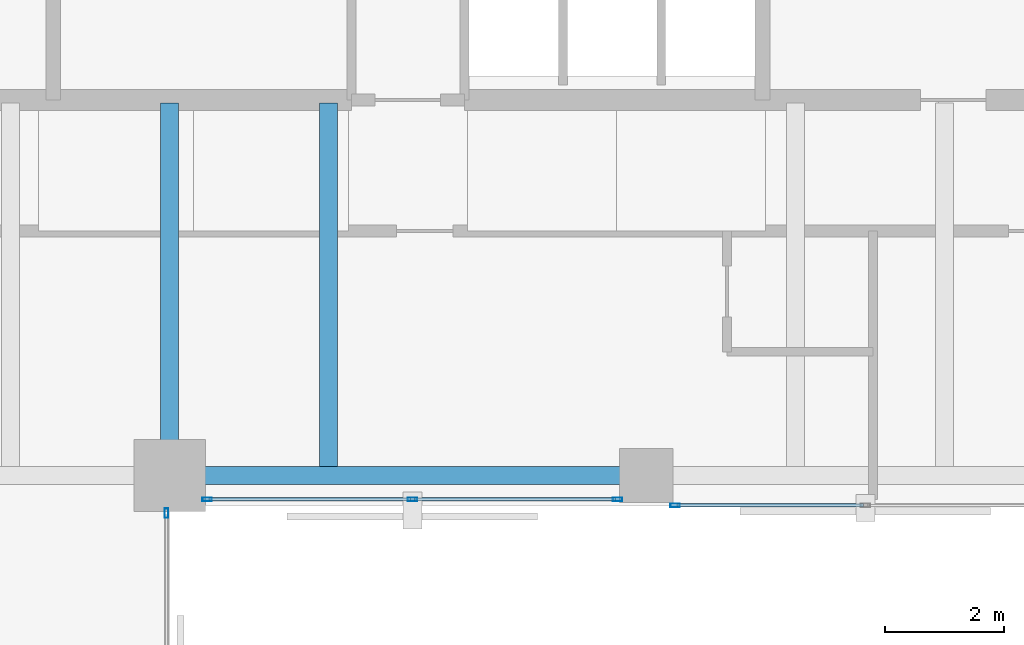
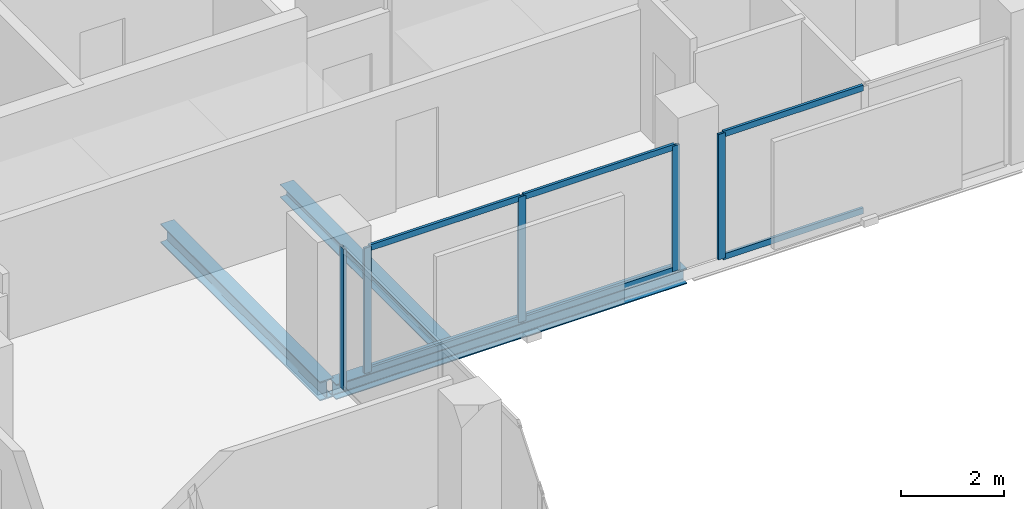
# One storey, part 13 of 33: 11 members, 3 beams, 3 elements without a shape of their own.
"""IFC4 building model written with IfcOpenShell, lengths in metres."""

from ifc_helpers import new_model, si_unit, direction, frame, origin, origin_2d, place, context, subcontext, project, spatial, hollow_rectangle, i_section, extrude, material, layer, layer_set, material_profile, profile_set, type_object, element, aggregate, save


model = new_model("IFC4")

# Units and contexts
model_context = context("Model", 3, precision=1e-05, world=origin(), true_north=direction((0.0, 1.0)))
body_context = subcontext(model_context, "Body", "Model", "MODEL_VIEW")
ifc_project = project(units=[si_unit("LENGTHUNIT", "METRE"), si_unit("AREAUNIT", "SQUARE_METRE"), si_unit("VOLUMEUNIT", "CUBIC_METRE"), si_unit("PLANEANGLEUNIT", "RADIAN"), si_unit("MASSUNIT", "GRAM", prefix="KILO")], contexts=[model_context])

# Site, building, storey
site_placement = place(None, origin())
site = spatial("IfcSite", under=ifc_project, at=site_placement, CompositionType="ELEMENT")
building_placement = place(site_placement, origin())
building = spatial("IfcBuilding", under=site, at=building_placement, Name="Catumbela Crestline Tower", CompositionType="ELEMENT")
storey_placement = place(building_placement, frame((0.0, 0.0, 108.0)))
storey = spatial("IfcBuildingStorey", under=building, at=storey_placement, Name="L27", CompositionType="ELEMENT", Elevation=108.0)

# Beams
ifc_material_1 = material(Name="Structural steel S355J2", Category="steel")
ifc_material_profile_1 = material_profile(ifc_material_1, i_section(OverallWidth=0.3, OverallDepth=0.45, WebThickness=0.014, FlangeThickness=0.026, FilletRadius=0.027, at=origin_2d()), Name="HEB 450")
ifc_profile_set_1 = profile_set([ifc_material_profile_1], Name="Structural steel S355J2")
beam_type_1 = type_object("IfcBeamType", Name="BG-HEB450", PredefinedType="BEAM", material=ifc_profile_set_1)
beam_1_placement = place(storey_placement, frame((24.0, 24.58, -0.485), z_axis=(0.0, 1.0, 0.0), x_axis=(-1.0, 0.0, 0.0)))
element("IfcBeam", 1, at=beam_1_placement, inside=storey, type_object=beam_type_1, Name="L27 Beam BM-L27-SNS29", PredefinedType="BEAM", context=body_context, shape_type="SweptSolid", body=[
    extrude(i_section(OverallWidth=0.3, OverallDepth=0.45, WebThickness=0.014, FlangeThickness=0.026, FilletRadius=0.027, at=origin_2d()), origin(), (0.0, 0.0, 1.0), 6.17),
])
ifc_material_profile_2 = material_profile(ifc_material_1, i_section(OverallWidth=0.3, OverallDepth=0.31, WebThickness=0.009, FlangeThickness=0.0155, FilletRadius=0.027, at=origin_2d()), Name="HEA 320")
ifc_profile_set_2 = profile_set([ifc_material_profile_2], Name="Structural steel S355J2")
beam_type_2 = type_object("IfcBeamType", Name="BJ-HEA320", PredefinedType="JOIST", material=ifc_profile_set_2)
beam_2_placement = place(storey_placement, frame((26.667, 24.647, -0.415), z_axis=(0.0, 1.0, 0.0), x_axis=(-1.0, 0.0, 0.0)))
element("IfcBeam", 2, at=beam_2_placement, inside=storey, type_object=beam_type_2, Name="L27 Joist JS-L27-SP39", PredefinedType="JOIST", context=body_context, shape_type="SweptSolid", body=[
    extrude(i_section(OverallWidth=0.3, OverallDepth=0.31, WebThickness=0.009, FlangeThickness=0.0155, FilletRadius=0.027, at=origin_2d()), origin(), (0.0, 0.0, 1.0), 6.103),
])

# Curtain wall, member
ifc_material_2 = material(Name="Aluminium alloy AW-6060-T66", Category="aluminium")
ifc_layer = layer(ifc_material_2, 0.18, Name="Aluminium alloy AW-6060-T66")
ifc_layer_set = layer_set([ifc_layer], Name="Aluminium alloy AW-6060-T66")
curtain_wall_type = type_object("IfcCurtainWallType", Name="CWU-Z2", PredefinedType="USERDEFINED", material=ifc_layer_set)
curtain_wall_1_placement = place(storey_placement, origin())
curtain_wall_1 = element("IfcCurtainWall", 3, at=curtain_wall_1_placement, inside=storey, type_object=curtain_wall_type, Name="L27 Unitised Curtain Wall CW-L27-E2S1", ObjectType="UNITISED", PredefinedType="USERDEFINED")
ifc_material_profile_3 = material_profile(ifc_material_2, hollow_rectangle(XDim=0.06, YDim=0.16, WallThickness=0.004, at=origin_2d()), Name="ALU 160x60x4")
ifc_profile_set_3 = profile_set([ifc_material_profile_3], Name="Aluminium alloy AW-6060-T66")
member_type_1 = type_object("IfcMemberType", Name="MUL-160X60", PredefinedType="MULLION", material=ifc_profile_set_3)
member_1_placement = place(storey_placement, frame((23.95, 23.8675, 0.0), z_axis=(0.0, 0.0, 1.0), x_axis=(-1.0, 0.0, 0.0)))
member_1 = element("IfcMember", 4, at=member_1_placement, type_object=member_type_1, Name="CWU-Z2 mullion 5", PredefinedType="MULLION", context=body_context, shape_type="SweptSolid", body=[
    extrude(hollow_rectangle(XDim=0.06, YDim=0.16, WallThickness=0.004, at=origin_2d()), origin(), (0.0, 0.0, 1.0), 3.33),
])
aggregate(curtain_wall_1, [member_1])

# Curtain wall, members
curtain_wall_2_placement = place(storey_placement, origin())
curtain_wall_2 = element("IfcCurtainWall", 5, at=curtain_wall_2_placement, inside=storey, type_object=curtain_wall_type, Name="L27 Unitised Curtain Wall CW-L27-E3S1", ObjectType="UNITISED", PredefinedType="USERDEFINED")
member_2_placement = place(storey_placement, frame((24.6325, 24.1, 0.0), z_axis=(0.0, 0.0, 1.0), x_axis=(0.0, 1.0, 0.0)))
member_2 = element("IfcMember", 6, at=member_2_placement, type_object=member_type_1, Name="CWU-Z2 mullion 1", PredefinedType="MULLION", context=body_context, shape_type="SweptSolid", body=[
    extrude(hollow_rectangle(XDim=0.06, YDim=0.16, WallThickness=0.004, at=origin_2d()), origin(), (0.0, 0.0, 1.0), 2.96),
])
member_3_placement = place(storey_placement, frame((28.075, 24.1, 0.0), z_axis=(0.0, 0.0, 1.0), x_axis=(0.0, 1.0, 0.0)))
member_3 = element("IfcMember", 7, at=member_3_placement, type_object=member_type_1, Name="CWU-Z2 mullion 2", PredefinedType="MULLION", context=body_context, shape_type="SweptSolid", body=[
    extrude(hollow_rectangle(XDim=0.06, YDim=0.16, WallThickness=0.004, at=origin_2d()), origin(), (0.0, 0.0, 1.0), 2.96),
])
member_4_placement = place(storey_placement, frame((31.5175, 24.1, 0.0), z_axis=(0.0, 0.0, 1.0), x_axis=(0.0, 1.0, 0.0)))
member_4 = element("IfcMember", 8, at=member_4_placement, type_object=member_type_1, Name="CWU-Z2 mullion 3", PredefinedType="MULLION", context=body_context, shape_type="SweptSolid", body=[
    extrude(hollow_rectangle(XDim=0.06, YDim=0.16, WallThickness=0.004, at=origin_2d()), origin(), (0.0, 0.0, 1.0), 2.96),
])

# Curtain wall, member
curtain_wall_3_placement = place(storey_placement, origin())
curtain_wall_3 = element("IfcCurtainWall", 9, at=curtain_wall_3_placement, inside=storey, type_object=curtain_wall_type, Name="L27 Unitised Curtain Wall CW-L27-E3S2", ObjectType="UNITISED", PredefinedType="USERDEFINED")
member_5_placement = place(storey_placement, frame((32.4825, 24.0, 0.0), z_axis=(0.0, 0.0, 1.0), x_axis=(0.0, 1.0, 0.0)))
member_5 = element("IfcMember", 10, at=member_5_placement, type_object=member_type_1, Name="CWU-Z2 mullion 1", PredefinedType="MULLION", context=body_context, shape_type="SweptSolid", body=[
    extrude(hollow_rectangle(XDim=0.06, YDim=0.16, WallThickness=0.004, at=origin_2d()), origin(), (0.0, 0.0, 1.0), 2.96),
])

# Beam
ifc_material_profile_4 = material_profile(ifc_material_1, i_section(OverallWidth=0.3, OverallDepth=0.36, WebThickness=0.0125, FlangeThickness=0.0225, FilletRadius=0.027, at=origin_2d()), Name="HEB 360")
ifc_profile_set_4 = profile_set([ifc_material_profile_4], Name="Structural steel S355J2")
beam_type_3 = type_object("IfcBeamType", Name="BS-HEB360", PredefinedType="SPANDREL", material=ifc_profile_set_4)
beam_3_placement = place(storey_placement, frame((24.08, 24.5, -0.44), z_axis=(1.0, 0.0, 0.0), x_axis=(0.0, 1.0, 0.0)))
element("IfcBeam", 11, at=beam_3_placement, inside=storey, type_object=beam_type_3, Name="L27 Spandrel SP-L27-S05", PredefinedType="SPANDREL", context=body_context, shape_type="SweptSolid", body=[
    extrude(i_section(OverallWidth=0.3, OverallDepth=0.36, WebThickness=0.0125, FlangeThickness=0.0225, FilletRadius=0.027, at=origin_2d()), origin(), (0.0, 0.0, 1.0), 7.84),
])

# Member
ifc_material_profile_5 = material_profile(ifc_material_2, hollow_rectangle(XDim=0.06, YDim=0.14, WallThickness=0.004, at=origin_2d()), Name="ALU 140x60x4")
ifc_profile_set_5 = profile_set([ifc_material_profile_5], Name="Aluminium alloy AW-6060-T66")
member_type_2 = type_object("IfcMemberType", Name="TRN-140X60", PredefinedType="USERDEFINED", material=ifc_profile_set_5)
member_6_placement = place(storey_placement, frame((24.665, 24.1, 0.03), z_axis=(1.0, 0.0, 0.0), x_axis=(0.0, 1.0, 0.0)))
member_6 = element("IfcMember", 12, at=member_6_placement, type_object=member_type_2, Name="CWU-Z2 transom 1.1", ObjectType="TRANSOM", PredefinedType="USERDEFINED", context=body_context, shape_type="SweptSolid", body=[
    extrude(hollow_rectangle(XDim=0.06, YDim=0.14, WallThickness=0.004, at=origin_2d()), origin(), (0.0, 0.0, 1.0), 3.3775),
])

member_7_placement = place(storey_placement, frame((24.665, 24.1, 2.93), z_axis=(1.0, 0.0, 0.0), x_axis=(0.0, 1.0, 0.0)))
member_7 = element("IfcMember", 13, at=member_7_placement, type_object=member_type_2, Name="CWU-Z2 transom 1.2", ObjectType="TRANSOM", PredefinedType="USERDEFINED", context=body_context, shape_type="SweptSolid", body=[
    extrude(hollow_rectangle(XDim=0.06, YDim=0.14, WallThickness=0.004, at=origin_2d()), origin(), (0.0, 0.0, 1.0), 3.3775),
])

member_8_placement = place(storey_placement, frame((28.1075, 24.1, 0.03), z_axis=(1.0, 0.0, 0.0), x_axis=(0.0, 1.0, 0.0)))
member_8 = element("IfcMember", 14, at=member_8_placement, type_object=member_type_2, Name="CWU-Z2 transom 2.1", ObjectType="TRANSOM", PredefinedType="USERDEFINED", context=body_context, shape_type="SweptSolid", body=[
    extrude(hollow_rectangle(XDim=0.06, YDim=0.14, WallThickness=0.004, at=origin_2d()), origin(), (0.0, 0.0, 1.0), 3.3775),
])

member_9_placement = place(storey_placement, frame((28.1075, 24.1, 2.93), z_axis=(1.0, 0.0, 0.0), x_axis=(0.0, 1.0, 0.0)))
member_9 = element("IfcMember", 15, at=member_9_placement, type_object=member_type_2, Name="CWU-Z2 transom 2.2", ObjectType="TRANSOM", PredefinedType="USERDEFINED", context=body_context, shape_type="SweptSolid", body=[
    extrude(hollow_rectangle(XDim=0.06, YDim=0.14, WallThickness=0.004, at=origin_2d()), origin(), (0.0, 0.0, 1.0), 3.3775),
])

aggregate(curtain_wall_2, [member_2, member_3, member_4, member_6, member_7, member_8, member_9])

member_10_placement = place(storey_placement, frame((32.515, 24.0, 0.03), z_axis=(1.0, 0.0, 0.0), x_axis=(0.0, 1.0, 0.0)))
member_10 = element("IfcMember", 16, at=member_10_placement, type_object=member_type_2, Name="CWU-Z2 transom 1.1", ObjectType="TRANSOM", PredefinedType="USERDEFINED", context=body_context, shape_type="SweptSolid", body=[
    extrude(hollow_rectangle(XDim=0.06, YDim=0.14, WallThickness=0.004, at=origin_2d()), origin(), (0.0, 0.0, 1.0), 3.1275),
])

member_11_placement = place(storey_placement, frame((32.515, 24.0, 2.93), z_axis=(1.0, 0.0, 0.0), x_axis=(0.0, 1.0, 0.0)))
member_11 = element("IfcMember", 17, at=member_11_placement, type_object=member_type_2, Name="CWU-Z2 transom 1.2", ObjectType="TRANSOM", PredefinedType="USERDEFINED", context=body_context, shape_type="SweptSolid", body=[
    extrude(hollow_rectangle(XDim=0.06, YDim=0.14, WallThickness=0.004, at=origin_2d()), origin(), (0.0, 0.0, 1.0), 3.1275),
])

aggregate(curtain_wall_3, [member_5, member_10, member_11])

save(model, "model.ifc")
